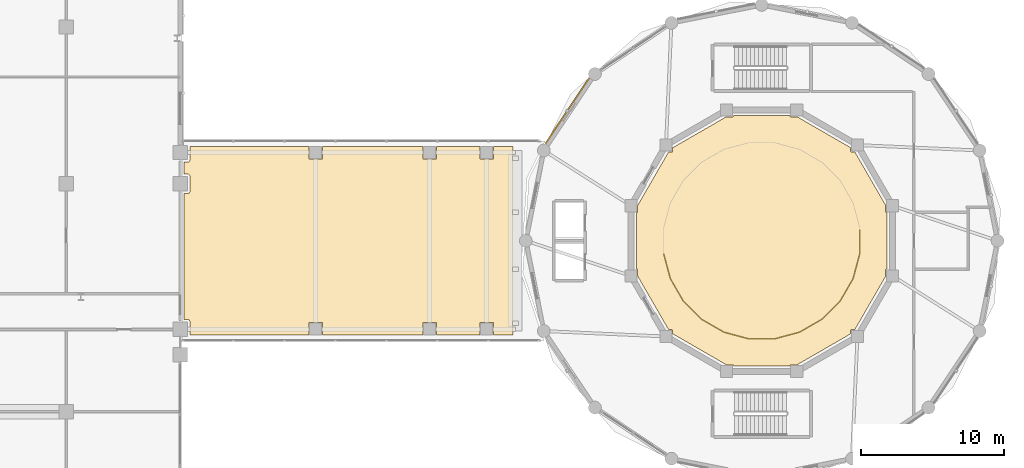
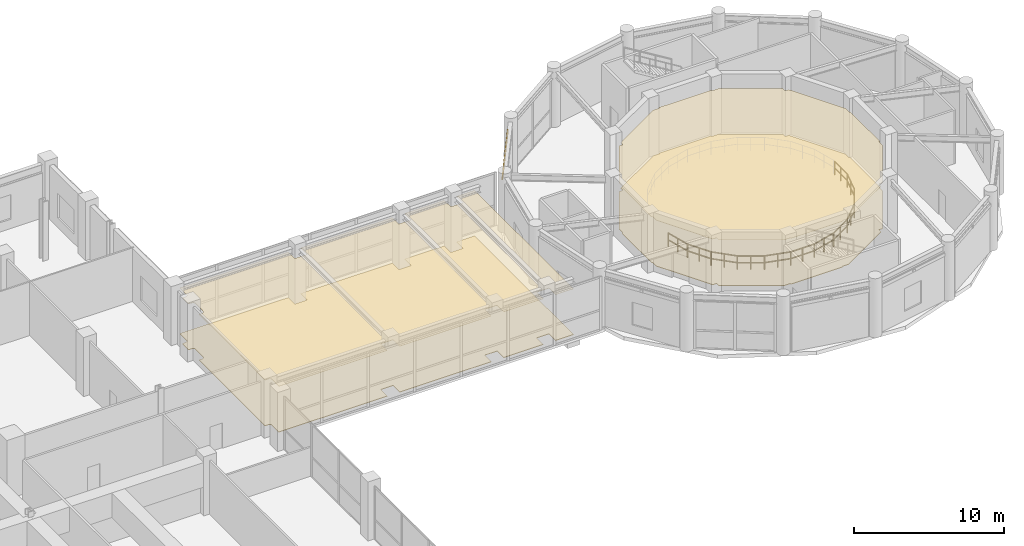
# One storey, part 43 of 44: 4 coverings, 1 railing, 1 shading device.
"""IFC4 building model written with IfcOpenShell, lengths in metres."""

from ifc_helpers import new_model, si_unit, derived_unit, direction, frame, origin, origin_2d, place, context, subcontext, project, spatial, polyline, hollow_rectangle, circle, outline, extrude, source, transform, mapped, material, layer, layer_set, material_profile, profile_set, type_object, element, save


model = new_model("IFC4")

# Units and contexts
model_context = context("Model", 3, precision=1e-05, world=origin(), true_north=direction((0.0, 1.0)))
body_context = subcontext(model_context, "Body", "Model", "MODEL_VIEW")
ifc_project = project(units=[si_unit("LENGTHUNIT", "METRE"), si_unit("AREAUNIT", "SQUARE_METRE"), si_unit("VOLUMEUNIT", "CUBIC_METRE"), si_unit("PLANEANGLEUNIT", "RADIAN"), si_unit("MASSUNIT", "GRAM", prefix="KILO"), derived_unit("THERMALTRANSMITTANCEUNIT", [(si_unit("POWERUNIT", "WATT"), 1), (si_unit("LENGTHUNIT", "METRE"), -2), (si_unit("THERMODYNAMICTEMPERATUREUNIT", "KELVIN"), -1)])], contexts=[model_context])

# Site, building, storey
site_placement = place(None, origin())
site = spatial("IfcSite", under=ifc_project, at=site_placement, CompositionType="ELEMENT")
building_placement = place(site_placement, origin())
building = spatial("IfcBuilding", under=site, at=building_placement, Name="Korsvarv Bourse and Concert Hall", CompositionType="ELEMENT")
storey_placement = place(building_placement, frame((0.0, 0.0, 9.60009765625)))
storey = spatial("IfcBuildingStorey", under=building, at=storey_placement, Name="L02", CompositionType="ELEMENT", Elevation=9.60009765625)

# Coverings
ifc_material_1 = material(Name="Perforated mineral-wool and birch acoustic baffle ceiling", Category="wood")
ifc_layer_1 = layer(ifc_material_1, 0.02490234375)
ifc_layer_set_1 = layer_set([ifc_layer_1], Name="Perforated mineral-wool and birch acoustic baffle ceiling")
covering_type_1 = type_object("IfcCoveringType", Name="COV-CEIL-1", PredefinedType="CEILING", material=ifc_layer_set_1)
covering_1_placement = place(storey_placement, frame((0.0, 0.0, 3.72998046875)))
element("IfcCovering", 1, at=covering_1_placement, inside=storey, type_object=covering_type_1, Name="L02 acoustic baffle ceiling 1", PredefinedType="CEILING", context=body_context, shape_type="SweptSolid", body=[
    extrude(outline(polyline([(66.68994140625, 30.298095703125), (66.68701171875, 30.3330078125), (66.67724609375, 30.36669921875), (66.6611328125, 30.397705078125), (66.639404296875, 30.42529296875), (66.61279296875, 30.44775390625), (66.582275390625, 30.46484375), (66.548828125, 30.4755859375), (66.51416015625, 30.47998046875), (66.260009765625, 30.48583984375), (66.260009765625, 39.31005859375), (66.5, 39.31005859375), (66.534912109375, 39.3134765625), (66.568603515625, 39.323486328125), (66.599365234375, 39.340087890625), (66.626708984375, 39.362060546875), (66.64892578125, 39.38916015625), (66.665771484375, 39.419921875), (66.67626953125, 39.453369140625), (66.679931640625, 39.48828125), (66.68994140625, 40.498291015625), (66.68701171875, 40.533203125), (66.67724609375, 40.566650390625), (66.6611328125, 40.597900390625), (66.639404296875, 40.625244140625), (66.61279296875, 40.647705078125), (66.582275390625, 40.664794921875), (66.548828125, 40.67578125), (66.51416015625, 40.679931640625), (66.260009765625, 40.685791015625), (66.260009765625, 41.510009765625), (66.5, 41.510009765625), (66.534912109375, 41.513427734375), (66.568603515625, 41.5234375), (66.599365234375, 41.5400390625), (66.626708984375, 41.56201171875), (66.64892578125, 41.589111328125), (66.665771484375, 41.619873046875), (66.67626953125, 41.6533203125), (66.679931640625, 41.688232421875), (66.68896484375, 42.60009765625), (75.02490234375, 42.60009765625), (75.02490234375, 41.77490234375), (75.031005859375, 41.75146484375), (75.047119140625, 41.7333984375), (75.070068359375, 41.72509765625), (75.925048828125, 41.72509765625), (75.948486328125, 41.73095703125), (75.966552734375, 41.747314453125), (75.974853515625, 41.77001953125), (75.97509765625, 42.60009765625), (83.02490234375, 42.60009765625), (83.02490234375, 41.77490234375), (83.031005859375, 41.75146484375), (83.047119140625, 41.7333984375), (83.070068359375, 41.72509765625), (83.925048828125, 41.72509765625), (83.948486328125, 41.73095703125), (83.966552734375, 41.747314453125), (83.974853515625, 41.77001953125), (83.97509765625, 42.60009765625), (87.02490234375, 42.60009765625), (87.02490234375, 41.77490234375), (87.031005859375, 41.75146484375), (87.047119140625, 41.7333984375), (87.070068359375, 41.72509765625), (87.925048828125, 41.72509765625), (87.948486328125, 41.73095703125), (87.966552734375, 41.747314453125), (87.974853515625, 41.77001953125), (87.97509765625, 42.60009765625), (89.35009765625, 42.60009765625), (89.35009765625, 29.39990234375), (87.97509765625, 29.39990234375), (87.97509765625, 30.22509765625), (87.968994140625, 30.24853515625), (87.952880859375, 30.2666015625), (87.929931640625, 30.27490234375), (87.074951171875, 30.27490234375), (87.051513671875, 30.26904296875), (87.033447265625, 30.252685546875), (87.025146484375, 30.22998046875), (87.02490234375, 29.39990234375), (83.97509765625, 29.39990234375), (83.97509765625, 30.22509765625), (83.968994140625, 30.24853515625), (83.952880859375, 30.2666015625), (83.929931640625, 30.27490234375), (83.074951171875, 30.27490234375), (83.051513671875, 30.26904296875), (83.033447265625, 30.252685546875), (83.025146484375, 30.22998046875), (83.02490234375, 29.39990234375), (75.97509765625, 29.39990234375), (75.97509765625, 30.22509765625), (75.968994140625, 30.24853515625), (75.952880859375, 30.2666015625), (75.929931640625, 30.27490234375), (75.074951171875, 30.27490234375), (75.051513671875, 30.26904296875), (75.033447265625, 30.252685546875), (75.025146484375, 30.22998046875), (75.02490234375, 29.39990234375), (66.68115234375, 29.39990234375), (66.68994140625, 30.298095703125)])), origin(), (0.0, 0.0, 1.0), 0.02490234375),
])
covering_2_placement = place(storey_placement, frame((0.0, 0.0, 3.72998046875)))
element("IfcCovering", 2, at=covering_2_placement, inside=storey, type_object=covering_type_1, Name="L02 acoustic baffle ceiling 3", PredefinedType="CEILING", context=body_context, shape_type="SweptSolid", body=[
    extrude(outline(polyline([(113.329833984375, 29.757568359375), (113.092529296875, 29.757568359375), (113.06884765625, 29.751708984375), (113.05078125, 29.7353515625), (113.042724609375, 29.71240234375), (113.04248046875, 29.47021484375), (109.281494140625, 27.298583984375), (108.833740234375, 27.298583984375), (108.810302734375, 27.292724609375), (108.792236328125, 27.276611328125), (108.783935546875, 27.253662109375), (108.78369140625, 27.2236328125), (104.816162109375, 27.2236328125), (104.816162109375, 27.248779296875), (104.810302734375, 27.272216796875), (104.7939453125, 27.290283203125), (104.77099609375, 27.298583984375), (104.318359375, 27.298583984375), (100.5576171875, 29.47021484375), (100.5576171875, 29.70751953125), (100.551513671875, 29.731201171875), (100.535400390625, 29.7490234375), (100.512451171875, 29.75732421875), (100.270263671875, 29.757568359375), (98.0986328125, 33.518310546875), (98.0986328125, 33.96630859375), (98.0927734375, 33.98974609375), (98.076416015625, 34.0078125), (98.0537109375, 34.01611328125), (98.023681640625, 34.01611328125), (98.023681640625, 37.98388671875), (98.048583984375, 37.98388671875), (98.072265625, 37.98974609375), (98.09033203125, 38.006103515625), (98.098388671875, 38.02880859375), (98.0986328125, 38.481689453125), (100.270263671875, 42.242431640625), (100.507568359375, 42.242431640625), (100.531005859375, 42.248291015625), (100.549072265625, 42.2646484375), (100.557373046875, 42.28759765625), (100.5576171875, 42.52978515625), (104.318359375, 44.701416015625), (104.76611328125, 44.701416015625), (104.789794921875, 44.707275390625), (104.807861328125, 44.723388671875), (104.81591796875, 44.746337890625), (104.816162109375, 44.7763671875), (108.78369140625, 44.7763671875), (108.78369140625, 44.751220703125), (108.789794921875, 44.727783203125), (108.805908203125, 44.709716796875), (108.828857421875, 44.701416015625), (109.281494140625, 44.701416015625), (113.04248046875, 42.52978515625), (113.04248046875, 42.29248046875), (113.04833984375, 42.268798828125), (113.064697265625, 42.2509765625), (113.087646484375, 42.24267578125), (113.329833984375, 42.242431640625), (115.501220703125, 38.481689453125), (115.501220703125, 38.03369140625), (115.507080078125, 38.01025390625), (115.5234375, 37.9921875), (115.54638671875, 37.98388671875), (115.576416015625, 37.98388671875), (115.576416015625, 34.01611328125), (115.55126953125, 34.01611328125), (115.527587890625, 34.01025390625), (115.509765625, 33.993896484375), (115.50146484375, 33.97119140625), (115.501220703125, 33.518310546875), (113.329833984375, 29.757568359375)])), origin(), (0.0, 0.0, 1.0), 0.02490234375),
])
ifc_material_2 = material(Name="Calcium-sulphate raised access trading floor with Nordic oak top", Category="wood")
ifc_layer_2 = layer(ifc_material_2, 0.0400390625)
ifc_layer_set_2 = layer_set([ifc_layer_2], Name="Calcium-sulphate raised access trading floor with Nordic oak top")
covering_type_2 = type_object("IfcCoveringType", Name="COV-FLOR-1", PredefinedType="FLOORING", material=ifc_layer_set_2)
covering_3_placement = place(storey_placement, origin())
element("IfcCovering", 3, at=covering_3_placement, inside=storey, type_object=covering_type_2, Name="L02 raised access oak floor finish 1", PredefinedType="FLOORING", context=body_context, shape_type="SweptSolid", body=[
    extrude(outline(polyline([(66.68994140625, 30.298095703125), (66.68701171875, 30.3330078125), (66.67724609375, 30.36669921875), (66.6611328125, 30.397705078125), (66.639404296875, 30.42529296875), (66.61279296875, 30.44775390625), (66.582275390625, 30.46484375), (66.548828125, 30.4755859375), (66.51416015625, 30.47998046875), (66.260009765625, 30.48583984375), (66.260009765625, 39.31005859375), (66.5, 39.31005859375), (66.534912109375, 39.3134765625), (66.568603515625, 39.323486328125), (66.599365234375, 39.340087890625), (66.626708984375, 39.362060546875), (66.64892578125, 39.38916015625), (66.665771484375, 39.419921875), (66.67626953125, 39.453369140625), (66.679931640625, 39.48828125), (66.68994140625, 40.498291015625), (66.68701171875, 40.533203125), (66.67724609375, 40.566650390625), (66.6611328125, 40.597900390625), (66.639404296875, 40.625244140625), (66.61279296875, 40.647705078125), (66.582275390625, 40.664794921875), (66.548828125, 40.67578125), (66.51416015625, 40.679931640625), (66.260009765625, 40.685791015625), (66.260009765625, 41.510009765625), (66.5, 41.510009765625), (66.534912109375, 41.513427734375), (66.568603515625, 41.5234375), (66.599365234375, 41.5400390625), (66.626708984375, 41.56201171875), (66.64892578125, 41.589111328125), (66.665771484375, 41.619873046875), (66.67626953125, 41.6533203125), (66.679931640625, 41.688232421875), (66.68896484375, 42.60009765625), (75.02490234375, 42.60009765625), (75.02490234375, 41.77490234375), (75.031005859375, 41.75146484375), (75.047119140625, 41.7333984375), (75.070068359375, 41.72509765625), (75.925048828125, 41.72509765625), (75.948486328125, 41.73095703125), (75.966552734375, 41.747314453125), (75.974853515625, 41.77001953125), (75.97509765625, 42.60009765625), (83.02490234375, 42.60009765625), (83.02490234375, 41.77490234375), (83.031005859375, 41.75146484375), (83.047119140625, 41.7333984375), (83.070068359375, 41.72509765625), (83.925048828125, 41.72509765625), (83.948486328125, 41.73095703125), (83.966552734375, 41.747314453125), (83.974853515625, 41.77001953125), (83.97509765625, 42.60009765625), (87.02490234375, 42.60009765625), (87.02490234375, 41.77490234375), (87.031005859375, 41.75146484375), (87.047119140625, 41.7333984375), (87.070068359375, 41.72509765625), (87.925048828125, 41.72509765625), (87.948486328125, 41.73095703125), (87.966552734375, 41.747314453125), (87.974853515625, 41.77001953125), (87.97509765625, 42.60009765625), (89.35009765625, 42.60009765625), (89.35009765625, 29.39990234375), (87.97509765625, 29.39990234375), (87.97509765625, 30.22509765625), (87.968994140625, 30.24853515625), (87.952880859375, 30.2666015625), (87.929931640625, 30.27490234375), (87.074951171875, 30.27490234375), (87.051513671875, 30.26904296875), (87.033447265625, 30.252685546875), (87.025146484375, 30.22998046875), (87.02490234375, 29.39990234375), (83.97509765625, 29.39990234375), (83.97509765625, 30.22509765625), (83.968994140625, 30.24853515625), (83.952880859375, 30.2666015625), (83.929931640625, 30.27490234375), (83.074951171875, 30.27490234375), (83.051513671875, 30.26904296875), (83.033447265625, 30.252685546875), (83.025146484375, 30.22998046875), (83.02490234375, 29.39990234375), (75.97509765625, 29.39990234375), (75.97509765625, 30.22509765625), (75.968994140625, 30.24853515625), (75.952880859375, 30.2666015625), (75.929931640625, 30.27490234375), (75.074951171875, 30.27490234375), (75.051513671875, 30.26904296875), (75.033447265625, 30.252685546875), (75.025146484375, 30.22998046875), (75.02490234375, 29.39990234375), (66.68115234375, 29.39990234375), (66.68994140625, 30.298095703125)])), origin(), (0.0, 0.0, 1.0), 0.039794921875),
])
covering_4_placement = place(storey_placement, origin())
element("IfcCovering", 4, at=covering_4_placement, inside=storey, type_object=covering_type_2, Name="L02 raised access oak floor finish 3", PredefinedType="FLOORING", context=body_context, shape_type="SweptSolid", body=[
    extrude(outline(polyline([(113.329833984375, 29.757568359375), (113.092529296875, 29.757568359375), (113.06884765625, 29.751708984375), (113.05078125, 29.7353515625), (113.042724609375, 29.71240234375), (113.04248046875, 29.47021484375), (109.281494140625, 27.298583984375), (108.833740234375, 27.298583984375), (108.810302734375, 27.292724609375), (108.792236328125, 27.276611328125), (108.783935546875, 27.253662109375), (108.78369140625, 27.2236328125), (104.816162109375, 27.2236328125), (104.816162109375, 27.248779296875), (104.810302734375, 27.272216796875), (104.7939453125, 27.290283203125), (104.77099609375, 27.298583984375), (104.318359375, 27.298583984375), (100.5576171875, 29.47021484375), (100.5576171875, 29.70751953125), (100.551513671875, 29.731201171875), (100.535400390625, 29.7490234375), (100.512451171875, 29.75732421875), (100.270263671875, 29.757568359375), (98.0986328125, 33.518310546875), (98.0986328125, 33.96630859375), (98.0927734375, 33.98974609375), (98.076416015625, 34.0078125), (98.0537109375, 34.01611328125), (98.023681640625, 34.01611328125), (98.023681640625, 37.98388671875), (98.048583984375, 37.98388671875), (98.072265625, 37.98974609375), (98.09033203125, 38.006103515625), (98.098388671875, 38.02880859375), (98.0986328125, 38.481689453125), (100.270263671875, 42.242431640625), (100.507568359375, 42.242431640625), (100.531005859375, 42.248291015625), (100.549072265625, 42.2646484375), (100.557373046875, 42.28759765625), (100.5576171875, 42.52978515625), (104.318359375, 44.701416015625), (104.76611328125, 44.701416015625), (104.789794921875, 44.707275390625), (104.807861328125, 44.723388671875), (104.81591796875, 44.746337890625), (104.816162109375, 44.7763671875), (108.78369140625, 44.7763671875), (108.78369140625, 44.751220703125), (108.789794921875, 44.727783203125), (108.805908203125, 44.709716796875), (108.828857421875, 44.701416015625), (109.281494140625, 44.701416015625), (113.04248046875, 42.52978515625), (113.04248046875, 42.29248046875), (113.04833984375, 42.268798828125), (113.064697265625, 42.2509765625), (113.087646484375, 42.24267578125), (113.329833984375, 42.242431640625), (115.501220703125, 38.481689453125), (115.501220703125, 38.03369140625), (115.507080078125, 38.01025390625), (115.5234375, 37.9921875), (115.54638671875, 37.98388671875), (115.576416015625, 37.98388671875), (115.576416015625, 34.01611328125), (115.55126953125, 34.01611328125), (115.527587890625, 34.01025390625), (115.509765625, 33.993896484375), (115.50146484375, 33.97119140625), (115.501220703125, 33.518310546875), (113.329833984375, 29.757568359375)])), origin(), (0.0, 0.0, 1.0), 0.039794921875),
])

# Railing
ifc_material_3 = material(Name="Laminated safety glass and stainless Steel S355 balustrade", Category="steel")
railing_type = type_object("IfcRailingType", Name="RL-BAL-EXT", PredefinedType="BALUSTRADE", material=ifc_material_3)
railing_placement = place(storey_placement, frame((99.919921875, 35.09423828125, 0.0)))
element("IfcRailing", 5, at=railing_placement, inside=storey, type_object=railing_type, Name="L02 Symphony Auditorium Balcony Guardrail B", PredefinedType="BALUSTRADE", context=body_context, shape_type="SweptSolid", body=[
    extrude(circle(Radius=0.02392578125, at=origin_2d()), frame((0.0, 0.0, 1.1259765625), z_axis=(0.258736085224, -0.965948051503, 0.0), x_axis=(0.965948051503, 0.258736085224, 0.0)), (0.0, 0.0, 1.0), 1.811767578125),
    extrude(circle(Radius=0.02392578125, at=origin_2d()), frame((0.0, 0.0, 0.574951171875), z_axis=(0.258736085224, -0.965948051503, 0.0), x_axis=(0.965948051503, 0.258736085224, 0.0)), (0.0, 0.0, 1.0), 1.811767578125),
    extrude(circle(Radius=0.02392578125, at=origin_2d()), frame((0.46875, -1.75, 1.1259765625), z_axis=(0.499994660107, -0.866028486751, 0.0), x_axis=(0.866028486751, 0.499994660107, 0.0)), (0.0, 0.0, 1.0), 1.8115234375),
    extrude(circle(Radius=0.02392578125, at=origin_2d()), frame((0.46875, -1.75, 0.574951171875), z_axis=(0.499994660107, -0.866028486751, 0.0), x_axis=(0.866028486751, 0.499994660107, 0.0)), (0.0, 0.0, 1.0), 1.8115234375),
    extrude(circle(Radius=0.02392578125, at=origin_2d()), frame((1.37451171875, -3.31884765625, 1.1259765625), z_axis=(0.707106781187, -0.707106781187, 0.0), x_axis=(0.707106781187, 0.707106781187, 0.0)), (0.0, 0.0, 1.0), 1.8115234375),
    extrude(circle(Radius=0.02392578125, at=origin_2d()), frame((1.37451171875, -3.31884765625, 0.574951171875), z_axis=(0.707106781187, -0.707106781187, 0.0), x_axis=(0.707106781187, 0.707106781187, 0.0)), (0.0, 0.0, 1.0), 1.8115234375),
    extrude(circle(Radius=0.02392578125, at=origin_2d()), frame((2.655517578125, -4.599853515625, 1.1259765625), z_axis=(0.866028486751, -0.499994660107, 0.0), x_axis=(0.499994660107, 0.866028486751, 0.0)), (0.0, 0.0, 1.0), 1.8115234375),
    extrude(circle(Radius=0.02392578125, at=origin_2d()), frame((2.655517578125, -4.599853515625, 0.574951171875), z_axis=(0.866028486751, -0.499994660107, 0.0), x_axis=(0.499994660107, 0.866028486751, 0.0)), (0.0, 0.0, 1.0), 1.8115234375),
    extrude(circle(Radius=0.02392578125, at=origin_2d()), frame((4.224365234375, -5.505615234375, 1.1259765625), z_axis=(0.965948051503, -0.258736085224, 0.0), x_axis=(0.258736085224, 0.965948051503, 0.0)), (0.0, 0.0, 1.0), 1.811767578125),
    extrude(circle(Radius=0.02392578125, at=origin_2d()), frame((4.224365234375, -5.505615234375, 0.574951171875), z_axis=(0.965948051503, -0.258736085224, 0.0), x_axis=(0.258736085224, 0.965948051503, 0.0)), (0.0, 0.0, 1.0), 1.811767578125),
    extrude(circle(Radius=0.02392578125, at=origin_2d()), frame((5.974365234375, -5.974365234375, 1.1259765625), z_axis=(1.0, 0.0, 0.0), x_axis=(0.0, 1.0, 0.0)), (0.0, 0.0, 1.0), 1.8115234375),
    extrude(circle(Radius=0.02392578125, at=origin_2d()), frame((5.974365234375, -5.974365234375, 0.574951171875), z_axis=(1.0, 0.0, 0.0), x_axis=(0.0, 1.0, 0.0)), (0.0, 0.0, 1.0), 1.8115234375),
    extrude(circle(Radius=0.02392578125, at=origin_2d()), frame((7.785888671875, -5.974365234375, 1.1259765625), z_axis=(0.965948051503, 0.258736085224, 0.0), x_axis=(-0.258736085224, 0.965948051503, 0.0)), (0.0, 0.0, 1.0), 1.811767578125),
    extrude(circle(Radius=0.02392578125, at=origin_2d()), frame((7.785888671875, -5.974365234375, 0.574951171875), z_axis=(0.965948051503, 0.258736085224, 0.0), x_axis=(-0.258736085224, 0.965948051503, 0.0)), (0.0, 0.0, 1.0), 1.811767578125),
    extrude(circle(Radius=0.02392578125, at=origin_2d()), frame((9.535888671875, -5.505615234375, 1.1259765625), z_axis=(0.866028486751, 0.499994660107, 0.0), x_axis=(-0.499994660107, 0.866028486751, 0.0)), (0.0, 0.0, 1.0), 1.8115234375),
    extrude(circle(Radius=0.02392578125, at=origin_2d()), frame((9.535888671875, -5.505615234375, 0.574951171875), z_axis=(0.866028486751, 0.499994660107, 0.0), x_axis=(-0.499994660107, 0.866028486751, 0.0)), (0.0, 0.0, 1.0), 1.8115234375),
    extrude(circle(Radius=0.02392578125, at=origin_2d()), frame((11.104736328125, -4.599853515625, 1.1259765625), z_axis=(0.707106781187, 0.707106781187, 0.0), x_axis=(-0.707106781187, 0.707106781187, 0.0)), (0.0, 0.0, 1.0), 1.8115234375),
    extrude(circle(Radius=0.02392578125, at=origin_2d()), frame((11.104736328125, -4.599853515625, 0.574951171875), z_axis=(0.707106781187, 0.707106781187, 0.0), x_axis=(-0.707106781187, 0.707106781187, 0.0)), (0.0, 0.0, 1.0), 1.8115234375),
    extrude(circle(Radius=0.02392578125, at=origin_2d()), frame((12.3857421875, -3.31884765625, 1.1259765625), z_axis=(0.499994660107, 0.866028486751, 0.0), x_axis=(-0.866028486751, 0.499994660107, 0.0)), (0.0, 0.0, 1.0), 1.8115234375),
    extrude(circle(Radius=0.02392578125, at=origin_2d()), frame((12.3857421875, -3.31884765625, 0.574951171875), z_axis=(0.499994660107, 0.866028486751, 0.0), x_axis=(-0.866028486751, 0.499994660107, 0.0)), (0.0, 0.0, 1.0), 1.8115234375),
    extrude(circle(Radius=0.02392578125, at=origin_2d()), frame((13.29150390625, -1.75, 1.1259765625), z_axis=(0.258736085224, 0.965948051503, 0.0), x_axis=(-0.965948051503, 0.258736085224, 0.0)), (0.0, 0.0, 1.0), 1.811767578125),
    extrude(circle(Radius=0.02392578125, at=origin_2d()), frame((13.29150390625, -1.75, 0.574951171875), z_axis=(0.258736085224, 0.965948051503, 0.0), x_axis=(-0.965948051503, 0.258736085224, 0.0)), (0.0, 0.0, 1.0), 1.811767578125),
    extrude(circle(Radius=0.02392578125, at=origin_2d()), frame((13.76025390625, 0.0, 1.1259765625), z_axis=(0.0, 1.0, 0.0), x_axis=(-1.0, 0.0, 0.0)), (0.0, 0.0, 1.0), 1.666748046875),
    extrude(circle(Radius=0.02392578125, at=origin_2d()), frame((13.76025390625, 0.0, 0.574951171875), z_axis=(0.0, 1.0, 0.0), x_axis=(-1.0, 0.0, 0.0)), (0.0, 0.0, 1.0), 1.666748046875),
    extrude(circle(Radius=0.02099609375, at=origin_2d()), origin(), (0.0, 0.0, 1.0), 1.101806640625),
    extrude(circle(Radius=0.02099609375, at=origin_2d()), frame((0.234375, -0.875, 0.0)), (0.0, 0.0, 1.0), 1.101806640625),
    extrude(circle(Radius=0.02099609375, at=origin_2d()), frame((0.46875, -1.75, 0.0)), (0.0, 0.0, 1.0), 1.101806640625),
    extrude(circle(Radius=0.02099609375, at=origin_2d()), frame((0.921630859375, -2.534423828125, 0.0)), (0.0, 0.0, 1.0), 1.101806640625),
    extrude(circle(Radius=0.02099609375, at=origin_2d()), frame((1.37451171875, -3.31884765625, 0.0)), (0.0, 0.0, 1.0), 1.101806640625),
    extrude(circle(Radius=0.02099609375, at=origin_2d()), frame((2.01513671875, -3.95947265625, 0.0)), (0.0, 0.0, 1.0), 1.101806640625),
    extrude(circle(Radius=0.02099609375, at=origin_2d()), frame((2.655517578125, -4.599853515625, 0.0)), (0.0, 0.0, 1.0), 1.101806640625),
    extrude(circle(Radius=0.02099609375, at=origin_2d()), frame((3.43994140625, -5.052734375, 0.0)), (0.0, 0.0, 1.0), 1.101806640625),
    extrude(circle(Radius=0.02099609375, at=origin_2d()), frame((4.224365234375, -5.505615234375, 0.0)), (0.0, 0.0, 1.0), 1.101806640625),
    extrude(circle(Radius=0.02099609375, at=origin_2d()), frame((5.099365234375, -5.739990234375, 0.0)), (0.0, 0.0, 1.0), 1.101806640625),
    extrude(circle(Radius=0.02099609375, at=origin_2d()), frame((5.974365234375, -5.974365234375, 0.0)), (0.0, 0.0, 1.0), 1.101806640625),
    extrude(circle(Radius=0.02099609375, at=origin_2d()), frame((6.880126953125, -5.974365234375, 0.0)), (0.0, 0.0, 1.0), 1.101806640625),
    extrude(circle(Radius=0.02099609375, at=origin_2d()), frame((7.785888671875, -5.974365234375, 0.0)), (0.0, 0.0, 1.0), 1.101806640625),
    extrude(circle(Radius=0.02099609375, at=origin_2d()), frame((8.660888671875, -5.739990234375, 0.0)), (0.0, 0.0, 1.0), 1.101806640625),
    extrude(circle(Radius=0.02099609375, at=origin_2d()), frame((9.535888671875, -5.505615234375, 0.0)), (0.0, 0.0, 1.0), 1.101806640625),
    extrude(circle(Radius=0.02099609375, at=origin_2d()), frame((10.3203125, -5.052734375, 0.0)), (0.0, 0.0, 1.0), 1.101806640625),
    extrude(circle(Radius=0.02099609375, at=origin_2d()), frame((11.104736328125, -4.599853515625, 0.0)), (0.0, 0.0, 1.0), 1.101806640625),
    extrude(circle(Radius=0.02099609375, at=origin_2d()), frame((11.7451171875, -3.95947265625, 0.0)), (0.0, 0.0, 1.0), 1.101806640625),
    extrude(circle(Radius=0.02099609375, at=origin_2d()), frame((12.3857421875, -3.31884765625, 0.0)), (0.0, 0.0, 1.0), 1.101806640625),
    extrude(circle(Radius=0.02099609375, at=origin_2d()), frame((12.838623046875, -2.534423828125, 0.0)), (0.0, 0.0, 1.0), 1.101806640625),
    extrude(circle(Radius=0.02099609375, at=origin_2d()), frame((13.29150390625, -1.75, 0.0)), (0.0, 0.0, 1.0), 1.101806640625),
    extrude(circle(Radius=0.02099609375, at=origin_2d()), frame((13.52587890625, -0.875, 0.0)), (0.0, 0.0, 1.0), 1.101806640625),
    extrude(circle(Radius=0.02099609375, at=origin_2d()), frame((13.76025390625, 0.0, 0.0)), (0.0, 0.0, 1.0), 1.101806640625),
    extrude(circle(Radius=0.02099609375, at=origin_2d()), frame((13.76025390625, 0.83349609375, 0.0)), (0.0, 0.0, 1.0), 1.101806640625),
    extrude(circle(Radius=0.02099609375, at=origin_2d()), frame((13.76025390625, 1.666748046875, 0.0)), (0.0, 0.0, 1.0), 1.101806640625),
])

# Shading device
ifc_material_4 = material(Name="Glazed extruded architectural terracotta", Category="ceramic")
ifc_material_profile = material_profile(ifc_material_4, hollow_rectangle(XDim=0.090087890625, YDim=0.260009765625, WallThickness=0.011962890625, at=origin_2d()), Name="TC-BAG 90x260")
ifc_profile_set = profile_set([ifc_material_profile], Name="Glazed extruded architectural terracotta")
shading_device_type = type_object("IfcShadingDeviceType", Name="SHD-BAG-1", PredefinedType="USERDEFINED", material=ifc_profile_set)
shared_shape = source(origin(), body_context, "Body", "SweptSolid", [
    extrude(hollow_rectangle(XDim=0.090087890625, YDim=0.260009765625, WallThickness=0.011962890625, at=origin_2d()), origin(), (0.0, 0.0, 1.0), 5.54736328125),
])
shading_device_placement = place(storey_placement, frame((94.69921875, 47.42138671875, 3.789794921875), z_axis=(-0.555573305798, -0.831467559129, 0.0), x_axis=(0.831467559129, -0.555573305798, 0.0)))
element("IfcShadingDevice", 6, at=shading_device_placement, inside=storey, type_object=shading_device_type, Name="L02 terracotta baguette sunshade EW-L02-CHD07", ObjectType="BAGUETTE", PredefinedType="USERDEFINED", context=body_context, shape_type="MappedRepresentation", body=[
    mapped(shared_shape, transform((0.0, 0.0, 0.0), scale=1.0)),
])

save(model, "model.ifc")
